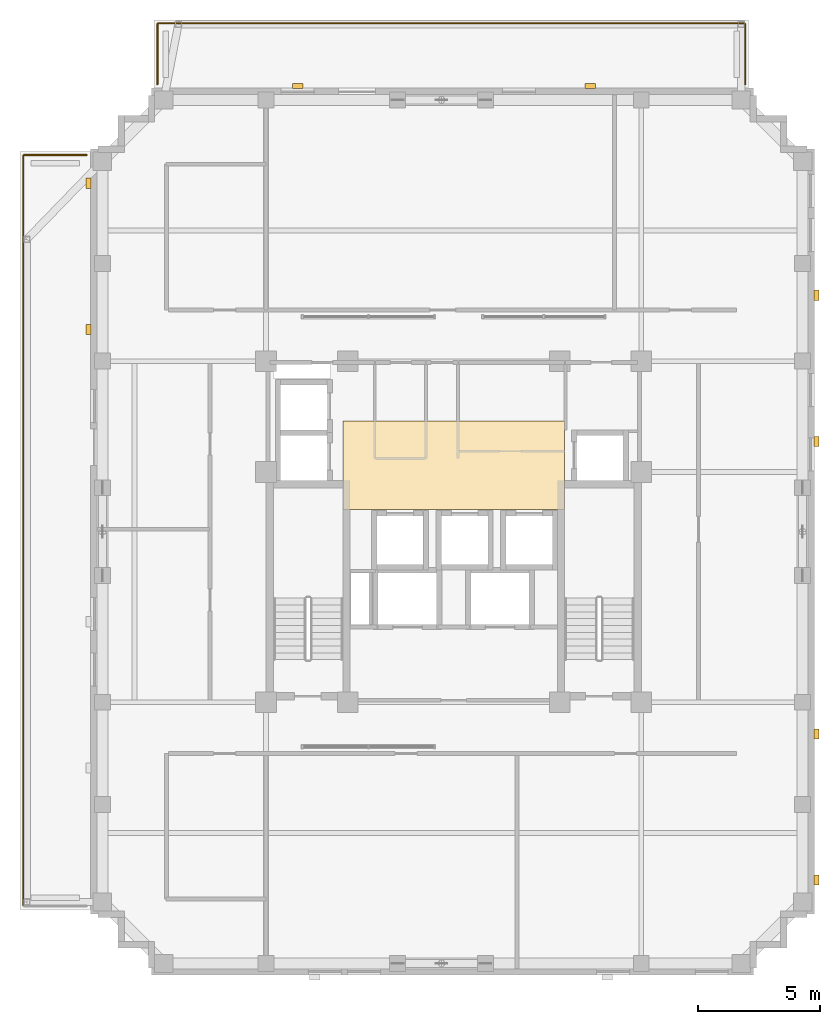
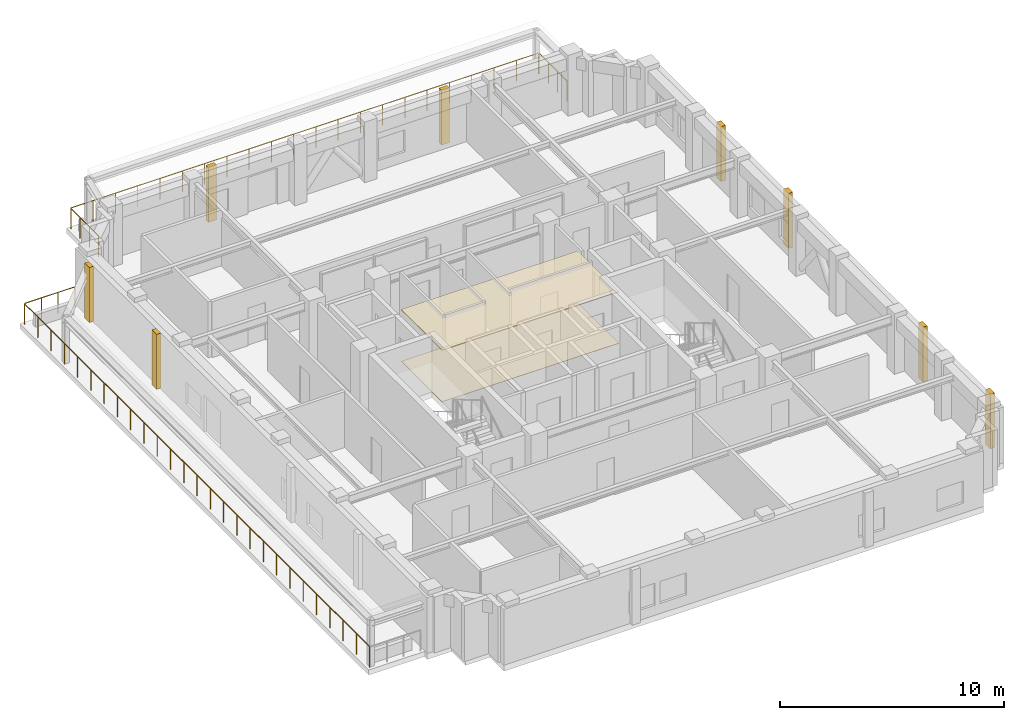
# One storey, part 14 of 14: 10 coverings, 5 railings.
"""IFC4 building model written with IfcOpenShell, lengths in metres."""

from ifc_helpers import new_model, si_unit, derived_unit, direction, frame, origin, origin_2d, place, context, subcontext, project, spatial, polyline, rectangle, circle, outline, extrude, material, layer, layer_set, type_object, element, save


model = new_model("IFC4")

# Units and contexts
model_context = context("Model", 3, precision=1e-05, world=origin(), true_north=direction((0.0, 1.0)))
body_context = subcontext(model_context, "Body", "Model", "MODEL_VIEW")
ifc_project = project(units=[si_unit("LENGTHUNIT", "METRE"), si_unit("AREAUNIT", "SQUARE_METRE"), si_unit("VOLUMEUNIT", "CUBIC_METRE"), si_unit("PLANEANGLEUNIT", "RADIAN"), si_unit("MASSUNIT", "GRAM", prefix="KILO"), derived_unit("THERMALTRANSMITTANCEUNIT", [(si_unit("MASSUNIT", "GRAM", prefix="KILO"), 1), (si_unit("TIMEUNIT", "SECOND"), -3), (si_unit("THERMODYNAMICTEMPERATUREUNIT", "KELVIN"), -1)])], contexts=[model_context])

# Site, building, storey
site_placement = place(None, origin())
site = spatial("IfcSite", under=ifc_project, at=site_placement, CompositionType="ELEMENT")
building_placement = place(site_placement, origin())
building = spatial("IfcBuilding", under=site, at=building_placement, Name="Korrvale Station Residences", CompositionType="ELEMENT")
storey_placement = place(building_placement, frame((0.0, 0.0, 174.39990234375)))
storey = spatial("IfcBuildingStorey", under=building, at=storey_placement, Name="L50", CompositionType="ELEMENT", Elevation=174.39990234375)

# Coverings
ifc_material_1 = material(Name="Perforated acoustic mineral-fibre suspended ceiling", Category="gypsum")
ifc_layer_1 = layer(ifc_material_1, 0.050048828125, Name="Perforated acoustic mineral-fibre suspended ceiling")
ifc_layer_set_1 = layer_set([ifc_layer_1], Name="Perforated acoustic mineral-fibre suspended ceiling")
covering_type_1 = type_object("IfcCoveringType", Name="COV-CLG-AC60", PredefinedType="CEILING", material=ifc_layer_set_1)
covering_1_placement = place(storey_placement, frame((0.0, 0.0, 2.7900390625)))
element("IfcCovering", 1, at=covering_1_placement, inside=storey, type_object=covering_type_1, Name="L50 Elevator Lobby Acoustic Ceiling", PredefinedType="CEILING", context=body_context, shape_type="SweptSolid", body=[
    extrude(outline(polyline([(20.949951171875, 22.89990234375), (30.050048828125, 22.89990234375), (30.050048828125, 26.550048828125), (20.949951171875, 26.550048828125), (20.949951171875, 22.89990234375)])), origin(), (0.0, 0.0, 1.0), 0.050048828125),
])
ifc_material_2 = material(Name="Polished quartz-terrazzo lobby flooring", Category="masonry")
ifc_layer_2 = layer(ifc_material_2, 0.02001953125, Name="Polished quartz-terrazzo lobby flooring")
ifc_layer_set_2 = layer_set([ifc_layer_2], Name="Polished quartz-terrazzo lobby flooring")
covering_type_2 = type_object("IfcCoveringType", Name="COV-FLR-TER20", PredefinedType="FLOORING", material=ifc_layer_set_2)
covering_2_placement = place(storey_placement, origin())
element("IfcCovering", 2, at=covering_2_placement, inside=storey, type_object=covering_type_2, Name="L50 Elevator Lobby Terrazzo Flooring", PredefinedType="FLOORING", context=body_context, shape_type="SweptSolid", body=[
    extrude(outline(polyline([(20.949951171875, 22.89990234375), (30.050048828125, 22.89990234375), (30.050048828125, 26.550048828125), (20.949951171875, 26.550048828125), (20.949951171875, 22.89990234375)])), origin(), (0.0, 0.0, 1.0), 0.02001953125),
])
ifc_material_3 = material(Name="Architectural precast concrete C45/55", Category="concrete")
ifc_layer_3 = layer(ifc_material_3, 0.219970703125, Name="Architectural precast concrete C45/55")
ifc_layer_set_3 = layer_set([ifc_layer_3], Name="Architectural precast concrete C45/55")
covering_type_3 = type_object("IfcCoveringType", Name="COV-PIER-400", PredefinedType="CLADDING", material=ifc_layer_set_3)
for number, where, z_axis, x_axis, name in (
    (3, (19.10009765625, 40.2900390625, 0.02490234375), (0.0, 0.0, 1.0), (1.0, 0.0, 0.0), "L50 Architectural Precast Facade Pier 03"),
    (4, (31.10009765625, 40.2900390625, 0.02490234375), (0.0, 0.0, 1.0), (1.0, 0.0, 0.0), "L50 Architectural Precast Facade Pier 04"),
    (5, (10.510009765625, 30.300048828125, 0.02490234375), (0.0, 0.0, 1.0), (0.0, 1.0, 0.0), "L50 Architectural Precast Facade Pier 07"),
    (6, (10.510009765625, 36.300048828125, 0.02490234375), (0.0, 0.0, 1.0), (0.0, 1.0, 0.0), "L50 Architectural Precast Facade Pier 08"),
    (7, (40.389892578125, 31.699951171875, 0.02490234375), (0.0, 0.0, 1.0), (0.0, 1.0, 0.0), "L50 Architectural Precast Facade Pier 09"),
    (8, (40.389892578125, 25.699951171875, 0.02490234375), (0.0, 0.0, 1.0), (0.0, 1.0, 0.0), "L50 Architectural Precast Facade Pier 10"),
    (9, (40.389892578125, 13.699951171875, 0.02490234375), (0.0, 0.0, 1.0), (0.0, 1.0, 0.0), "L50 Architectural Precast Facade Pier 11"),
    (10, (40.389892578125, 7.699951171875, 0.02490234375), (0.0, 0.0, 1.0), (0.0, 1.0, 0.0), "L50 Architectural Precast Facade Pier 12"),
):
    element("IfcCovering", number, at=place(storey_placement, frame(where, z_axis=z_axis, x_axis=x_axis)), inside=storey, type_object=covering_type_3, Name=name, PredefinedType="CLADDING", context=body_context, shape_type="SweptSolid", body=[
        extrude(rectangle(XDim=0.419921875, YDim=0.219970703125, at=origin_2d()), origin(), (0.0, 0.0, 1.0), 2.989990234375),
    ])

# Railings
ifc_material_4 = material(Name="Laminated safety glass and stainless steel balustrade", Category="steel")
railing_type = type_object("IfcRailingType", Name="RLG-TER-1150", PredefinedType="GUARDRAIL", material=ifc_material_4)
railing_1_placement = place(storey_placement, frame((13.360107421875, 42.860107421875, 0.0)))
element("IfcRailing", 11, at=railing_1_placement, inside=storey, type_object=railing_type, Name="L50 Setback Terrace Perimeter Guard TER-L50-N-N", PredefinedType="GUARDRAIL", context=body_context, shape_type="SweptSolid", body=[
    extrude(circle(Radius=0.02392578125, at=origin_2d()), frame((0.0, 0.0, 1.1259765625), z_axis=(1.0, 0.0, 0.0), x_axis=(0.0, 1.0, 0.0)), (0.0, 0.0, 1.0), 24.079833984375),
    extrude(circle(Radius=0.02099609375, at=origin_2d()), origin(), (0.0, 0.0, 1.0), 1.101806640625),
    extrude(circle(Radius=0.02099609375, at=origin_2d()), frame((1.146728515625, 0.0, 0.0)), (0.0, 0.0, 1.0), 1.101806640625),
    extrude(circle(Radius=0.02099609375, at=origin_2d()), frame((2.293212890625, 0.0, 0.0)), (0.0, 0.0, 1.0), 1.101806640625),
    extrude(circle(Radius=0.02099609375, at=origin_2d()), frame((3.43994140625, 0.0, 0.0)), (0.0, 0.0, 1.0), 1.101806640625),
    extrude(circle(Radius=0.02099609375, at=origin_2d()), frame((4.586669921875, 0.0, 0.0)), (0.0, 0.0, 1.0), 1.101806640625),
    extrude(circle(Radius=0.02099609375, at=origin_2d()), frame((5.7333984375, 0.0, 0.0)), (0.0, 0.0, 1.0), 1.101806640625),
    extrude(circle(Radius=0.02099609375, at=origin_2d()), frame((6.8798828125, 0.0, 0.0)), (0.0, 0.0, 1.0), 1.101806640625),
    extrude(circle(Radius=0.02099609375, at=origin_2d()), frame((8.026611328125, 0.0, 0.0)), (0.0, 0.0, 1.0), 1.101806640625),
    extrude(circle(Radius=0.02099609375, at=origin_2d()), frame((9.17333984375, 0.0, 0.0)), (0.0, 0.0, 1.0), 1.101806640625),
    extrude(circle(Radius=0.02099609375, at=origin_2d()), frame((10.31982421875, 0.0, 0.0)), (0.0, 0.0, 1.0), 1.101806640625),
    extrude(circle(Radius=0.02099609375, at=origin_2d()), frame((11.466552734375, 0.0, 0.0)), (0.0, 0.0, 1.0), 1.101806640625),
    extrude(circle(Radius=0.02099609375, at=origin_2d()), frame((12.61328125, 0.0, 0.0)), (0.0, 0.0, 1.0), 1.101806640625),
    extrude(circle(Radius=0.02099609375, at=origin_2d()), frame((13.760009765625, 0.0, 0.0)), (0.0, 0.0, 1.0), 1.101806640625),
    extrude(circle(Radius=0.02099609375, at=origin_2d()), frame((14.906494140625, 0.0, 0.0)), (0.0, 0.0, 1.0), 1.101806640625),
    extrude(circle(Radius=0.02099609375, at=origin_2d()), frame((16.05322265625, 0.0, 0.0)), (0.0, 0.0, 1.0), 1.101806640625),
    extrude(circle(Radius=0.02099609375, at=origin_2d()), frame((17.199951171875, 0.0, 0.0)), (0.0, 0.0, 1.0), 1.101806640625),
    extrude(circle(Radius=0.02099609375, at=origin_2d()), frame((18.346435546875, 0.0, 0.0)), (0.0, 0.0, 1.0), 1.101806640625),
    extrude(circle(Radius=0.02099609375, at=origin_2d()), frame((19.4931640625, 0.0, 0.0)), (0.0, 0.0, 1.0), 1.101806640625),
    extrude(circle(Radius=0.02099609375, at=origin_2d()), frame((20.639892578125, 0.0, 0.0)), (0.0, 0.0, 1.0), 1.101806640625),
    extrude(circle(Radius=0.02099609375, at=origin_2d()), frame((21.78662109375, 0.0, 0.0)), (0.0, 0.0, 1.0), 1.101806640625),
    extrude(circle(Radius=0.02099609375, at=origin_2d()), frame((22.93310546875, 0.0, 0.0)), (0.0, 0.0, 1.0), 1.101806640625),
    extrude(circle(Radius=0.02099609375, at=origin_2d()), frame((24.079833984375, 0.0, 0.0)), (0.0, 0.0, 1.0), 1.101806640625),
])
for number, where, name in (
    (12, (13.340087890625, 40.360107421875, 0.0), "L50 Setback Terrace Perimeter Guard TER-L50-N-W"),
    (13, (37.4599609375, 40.360107421875, 0.0), "L50 Setback Terrace Perimeter Guard TER-L50-N-E"),
):
    element("IfcRailing", number, at=place(storey_placement, frame(where)), inside=storey, type_object=railing_type, Name=name, PredefinedType="GUARDRAIL", context=body_context, shape_type="SweptSolid", body=[
        extrude(circle(Radius=0.02392578125, at=origin_2d()), frame((0.0, 0.0, 1.1259765625), z_axis=(0.0, 1.0, 0.0), x_axis=(-1.0, 0.0, 0.0)), (0.0, 0.0, 1.0), 2.47998046875),
        extrude(circle(Radius=0.02099609375, at=origin_2d()), origin(), (0.0, 0.0, 1.0), 1.101806640625),
        extrude(circle(Radius=0.02099609375, at=origin_2d()), frame((0.0, 0.82666015625, 0.0)), (0.0, 0.0, 1.0), 1.101806640625),
        extrude(circle(Radius=0.02099609375, at=origin_2d()), frame((0.0, 1.6533203125, 0.0)), (0.0, 0.0, 1.0), 1.101806640625),
        extrude(circle(Radius=0.02099609375, at=origin_2d()), frame((0.0, 2.47998046875, 0.0)), (0.0, 0.0, 1.0), 1.101806640625),
    ])
railing_2_placement = place(storey_placement, frame((7.860107421875, 37.4599609375, 0.0)))
element("IfcRailing", 14, at=railing_2_placement, inside=storey, type_object=railing_type, Name="L50 Setback Terrace Perimeter Guard TER-L50-W-N", PredefinedType="GUARDRAIL", context=body_context, shape_type="SweptSolid", body=[
    extrude(circle(Radius=0.02392578125, at=origin_2d()), frame((0.0, 0.0, 1.1259765625), z_axis=(1.0, 0.0, 0.0), x_axis=(0.0, 1.0, 0.0)), (0.0, 0.0, 1.0), 2.579833984375),
    extrude(circle(Radius=0.02099609375, at=origin_2d()), origin(), (0.0, 0.0, 1.0), 1.101806640625),
    extrude(circle(Radius=0.02099609375, at=origin_2d()), frame((0.85986328125, 0.0, 0.0)), (0.0, 0.0, 1.0), 1.101806640625),
    extrude(circle(Radius=0.02099609375, at=origin_2d()), frame((1.719970703125, 0.0, 0.0)), (0.0, 0.0, 1.0), 1.101806640625),
    extrude(circle(Radius=0.02099609375, at=origin_2d()), frame((2.579833984375, 0.0, 0.0)), (0.0, 0.0, 1.0), 1.101806640625),
])
railing_3_placement = place(storey_placement, frame((7.840087890625, 6.659912109375, 0.0)))
element("IfcRailing", 15, at=railing_3_placement, inside=storey, type_object=railing_type, Name="L50 Setback Terrace Perimeter Guard TER-L50-W-W", PredefinedType="GUARDRAIL", context=body_context, shape_type="SweptSolid", body=[
    extrude(circle(Radius=0.02392578125, at=origin_2d()), frame((0.0, 0.0, 1.1259765625), z_axis=(0.0, 1.0, 0.0), x_axis=(-1.0, 0.0, 0.0)), (0.0, 0.0, 1.0), 30.780029296875),
    extrude(circle(Radius=0.02099609375, at=origin_2d()), origin(), (0.0, 0.0, 1.0), 1.101806640625),
    extrude(circle(Radius=0.02099609375, at=origin_2d()), frame((0.0, 1.183837890625, 0.0)), (0.0, 0.0, 1.0), 1.101806640625),
    extrude(circle(Radius=0.02099609375, at=origin_2d()), frame((0.0, 2.36767578125, 0.0)), (0.0, 0.0, 1.0), 1.101806640625),
    extrude(circle(Radius=0.02099609375, at=origin_2d()), frame((0.0, 3.551513671875, 0.0)), (0.0, 0.0, 1.0), 1.101806640625),
    extrude(circle(Radius=0.02099609375, at=origin_2d()), frame((0.0, 4.7353515625, 0.0)), (0.0, 0.0, 1.0), 1.101806640625),
    extrude(circle(Radius=0.02099609375, at=origin_2d()), frame((0.0, 5.919189453125, 0.0)), (0.0, 0.0, 1.0), 1.101806640625),
    extrude(circle(Radius=0.02099609375, at=origin_2d()), frame((0.0, 7.10302734375, 0.0)), (0.0, 0.0, 1.0), 1.101806640625),
    extrude(circle(Radius=0.02099609375, at=origin_2d()), frame((0.0, 8.286865234375, 0.0)), (0.0, 0.0, 1.0), 1.101806640625),
    extrude(circle(Radius=0.02099609375, at=origin_2d()), frame((0.0, 9.470703125, 0.0)), (0.0, 0.0, 1.0), 1.101806640625),
    extrude(circle(Radius=0.02099609375, at=origin_2d()), frame((0.0, 10.654541015625, 0.0)), (0.0, 0.0, 1.0), 1.101806640625),
    extrude(circle(Radius=0.02099609375, at=origin_2d()), frame((0.0, 11.83837890625, 0.0)), (0.0, 0.0, 1.0), 1.101806640625),
    extrude(circle(Radius=0.02099609375, at=origin_2d()), frame((0.0, 13.022216796875, 0.0)), (0.0, 0.0, 1.0), 1.101806640625),
    extrude(circle(Radius=0.02099609375, at=origin_2d()), frame((0.0, 14.2060546875, 0.0)), (0.0, 0.0, 1.0), 1.101806640625),
    extrude(circle(Radius=0.02099609375, at=origin_2d()), frame((0.0, 15.39013671875, 0.0)), (0.0, 0.0, 1.0), 1.101806640625),
    extrude(circle(Radius=0.02099609375, at=origin_2d()), frame((0.0, 16.573974609375, 0.0)), (0.0, 0.0, 1.0), 1.101806640625),
    extrude(circle(Radius=0.02099609375, at=origin_2d()), frame((0.0, 17.7578125, 0.0)), (0.0, 0.0, 1.0), 1.101806640625),
    extrude(circle(Radius=0.02099609375, at=origin_2d()), frame((0.0, 18.941650390625, 0.0)), (0.0, 0.0, 1.0), 1.101806640625),
    extrude(circle(Radius=0.02099609375, at=origin_2d()), frame((0.0, 20.12548828125, 0.0)), (0.0, 0.0, 1.0), 1.101806640625),
    extrude(circle(Radius=0.02099609375, at=origin_2d()), frame((0.0, 21.309326171875, 0.0)), (0.0, 0.0, 1.0), 1.101806640625),
    extrude(circle(Radius=0.02099609375, at=origin_2d()), frame((0.0, 22.4931640625, 0.0)), (0.0, 0.0, 1.0), 1.101806640625),
    extrude(circle(Radius=0.02099609375, at=origin_2d()), frame((0.0, 23.677001953125, 0.0)), (0.0, 0.0, 1.0), 1.101806640625),
    extrude(circle(Radius=0.02099609375, at=origin_2d()), frame((0.0, 24.86083984375, 0.0)), (0.0, 0.0, 1.0), 1.101806640625),
    extrude(circle(Radius=0.02099609375, at=origin_2d()), frame((0.0, 26.044677734375, 0.0)), (0.0, 0.0, 1.0), 1.101806640625),
    extrude(circle(Radius=0.02099609375, at=origin_2d()), frame((0.0, 27.228515625, 0.0)), (0.0, 0.0, 1.0), 1.101806640625),
    extrude(circle(Radius=0.02099609375, at=origin_2d()), frame((0.0, 28.412353515625, 0.0)), (0.0, 0.0, 1.0), 1.101806640625),
    extrude(circle(Radius=0.02099609375, at=origin_2d()), frame((0.0, 29.59619140625, 0.0)), (0.0, 0.0, 1.0), 1.101806640625),
    extrude(circle(Radius=0.02099609375, at=origin_2d()), frame((0.0, 30.780029296875, 0.0)), (0.0, 0.0, 1.0), 1.101806640625),
])

save(model, "model.ifc")
